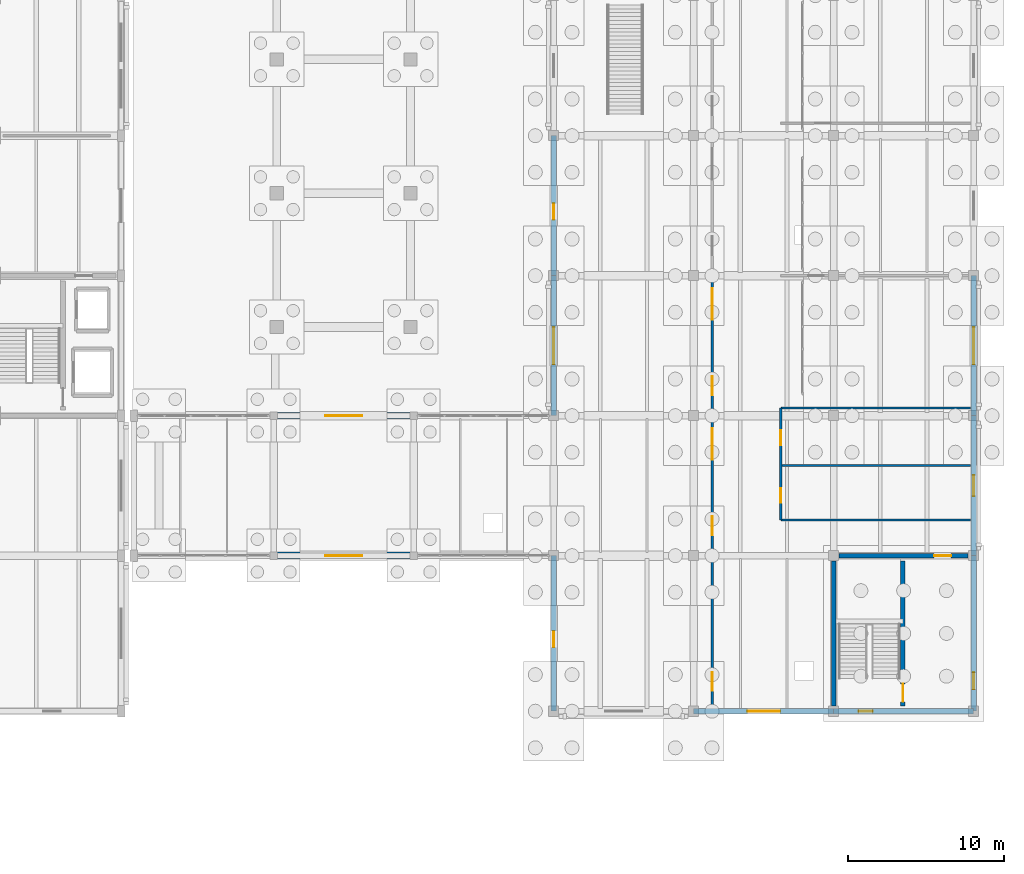
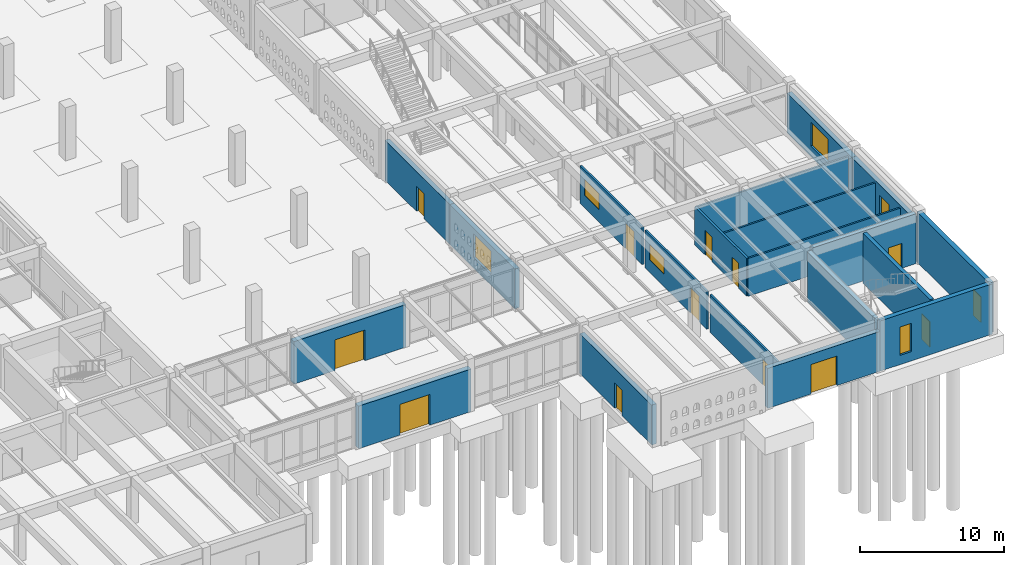
# One storey, part 168 of 186: 20 walls, 13 doors, 6 windows, 19 openings.
"""IFC4 building model written with IfcOpenShell, lengths in metres."""

from ifc_helpers import new_model, si_unit, direction, frame, frame_2d, origin, place, context, subcontext, project, spatial, rectangle, extrude, material, layer, layer_set, type_object, element, fill, save


model = new_model("IFC4")

# Units and contexts
model_context = context("Model", 3, precision=1e-05, world=origin(), true_north=direction((0.0, 1.0)))
body_context = subcontext(model_context, "Body", "Model", "MODEL_VIEW")
ifc_project = project(units=[si_unit("LENGTHUNIT", "METRE"), si_unit("AREAUNIT", "SQUARE_METRE"), si_unit("VOLUMEUNIT", "CUBIC_METRE"), si_unit("PLANEANGLEUNIT", "RADIAN"), si_unit("MASSUNIT", "GRAM", prefix="KILO")], contexts=[model_context])

# Site, building, storey
site_placement = place(None, origin())
site = spatial("IfcSite", under=ifc_project, at=site_placement, CompositionType="ELEMENT")
building_placement = place(site_placement, origin())
building = spatial("IfcBuilding", under=site, at=building_placement, Name="Ornek Quay Market", CompositionType="ELEMENT")
storey_placement = place(building_placement, origin())
storey = spatial("IfcBuildingStorey", under=building, at=storey_placement, Name="L00", CompositionType="ELEMENT", Elevation=0.0)

# Wall, opening, door
ifc_material_1 = material(Name="Concrete C40/50", Category="concrete")
ifc_layer_1 = layer(ifc_material_1, 0.300048828125, Name="Concrete C40/50", Category="concrete")
ifc_layer_set_1 = layer_set([ifc_layer_1], Name="Concrete C40/50")
wall_type_1 = type_object("IfcWallType", Name="WL-CORE-300", PredefinedType="SHEAR", material=ifc_layer_set_1)
wall_1_placement = place(storey_placement, frame((175.449951171875, 10.35009765625, 0.0), z_axis=(0.0, 0.0, 1.0), x_axis=(0.0, 1.0, 0.0)))
wall_1 = element("IfcWall", 1, at=wall_1_placement, inside=storey, type_object=wall_type_1, Name="Interior wall W-CORE1-157", PredefinedType="SHEAR", context=body_context, shape_type="SweptSolid", body=[
    extrude(rectangle(XDim=9.2998046875, YDim=0.300048828125, at=frame_2d((4.64990234375, 0.0))), origin(), (0.0, 0.0, 1.0), 4.219970703125),
])
opening_1_placement = place(wall_1_placement, frame((0.25, 0.0, 0.0)))
opening_1 = element("IfcOpeningElement", 2, at=opening_1_placement, cuts=wall_1, Name="Opening FD-03-060", PredefinedType="OPENING", context=body_context, shape_type="SweptSolid", body=[
    extrude(rectangle(XDim=1.14990234375, YDim=2.14990234375, at=frame_2d((0.574951171875, 1.074951171875))), frame((0.0, 0.159912109375, 0.0), z_axis=(0.0, -1.0, 0.0), x_axis=(1.0, 0.0, 0.0)), (0.0, 0.0, 1.0), 0.320068359375),
])
ifc_material_2 = material(Name="Insulated fire-rated painted steel", Category="steel")
door_type_1 = type_object("IfcDoorType", Name="DR-FIRE-STAIR-1150x2150", OperationType="NOTDEFINED", PredefinedType="DOOR", material=ifc_material_2)
door_1_placement = place(opening_1_placement, origin())
door_1 = element("IfcDoor", 3, at=door_1_placement, inside=storey, type_object=door_type_1, Name="Interior door FD-03-060", OperationType="SINGLE_SWING_LEFT", OverallHeight=2.14990234375, OverallWidth=1.14990234375, PredefinedType="DOOR", context=body_context, shape_type="SweptSolid", body=[
    extrude(rectangle(XDim=1.14990234375, YDim=2.14990234375, at=frame_2d((0.574951171875, 1.074951171875))), frame((0.0, 0.02490234375, 0.0), z_axis=(0.0, -1.0, 0.0), x_axis=(1.0, 0.0, 0.0)), (0.0, 0.0, 1.0), 0.050048828125),
])
fill(opening_1, door_1)

# Wall
wall_2_placement = place(storey_placement, frame((171.0, 10.35009765625, 0.0), z_axis=(0.0, 0.0, 1.0), x_axis=(0.0, 1.0, 0.0)))
element("IfcWall", 4, at=wall_2_placement, inside=storey, type_object=wall_type_1, Name="Interior wall W-CORE1-158", PredefinedType="SHEAR", context=body_context, shape_type="SweptSolid", body=[
    extrude(rectangle(XDim=9.2998046875, YDim=0.300048828125, at=frame_2d((4.64990234375, 0.0))), origin(), (0.0, 0.0, 1.0), 4.219970703125),
])

# Wall, opening, door
wall_3_placement = place(storey_placement, frame((171.35009765625, 20.0, 0.0), z_axis=(0.0, 0.0, 1.0), x_axis=(1.0, 0.0, 0.0)))
wall_3 = element("IfcWall", 5, at=wall_3_placement, inside=storey, type_object=wall_type_1, Name="Interior wall W-CORE1-159", PredefinedType="SHEAR", context=body_context, shape_type="SweptSolid", body=[
    extrude(rectangle(XDim=8.2998046875, YDim=0.300048828125, at=frame_2d((4.14990234375, 0.0))), origin(), (0.0, 0.0, 1.0), 4.219970703125),
])
opening_2_placement = place(wall_3_placement, frame((6.10009765625, 0.0, 0.0)))
opening_2 = element("IfcOpeningElement", 6, at=opening_2_placement, cuts=wall_3, Name="Opening FD-04-061", PredefinedType="OPENING", context=body_context, shape_type="SweptSolid", body=[
    extrude(rectangle(XDim=1.10009765625, YDim=2.10009765625, at=frame_2d((0.550048828125, 1.050048828125))), frame((0.0, 0.159912109375, 0.0), z_axis=(0.0, -1.0, 0.0), x_axis=(1.0, 0.0, 0.0)), (0.0, 0.0, 1.0), 0.320068359375),
])
door_type_2 = type_object("IfcDoorType", Name="DR-FIRE-LOBBY-1100x2100", OperationType="NOTDEFINED", PredefinedType="DOOR", material=ifc_material_2)
door_2_placement = place(opening_2_placement, origin())
door_2 = element("IfcDoor", 7, at=door_2_placement, inside=storey, type_object=door_type_2, Name="Interior door FD-04-061", OperationType="SINGLE_SWING_RIGHT", OverallHeight=2.10009765625, OverallWidth=1.10009765625, PredefinedType="DOOR", context=body_context, shape_type="SweptSolid", body=[
    extrude(rectangle(XDim=1.10009765625, YDim=2.10009765625, at=frame_2d((0.550048828125, 1.050048828125))), frame((0.0, 0.02490234375, 0.0), z_axis=(0.0, -1.0, 0.0), x_axis=(1.0, 0.0, 0.0)), (0.0, 0.0, 1.0), 0.050048828125),
])
fill(opening_2, door_2)

# Wall, openings, doors
ifc_material_3 = material(Name="Autoclaved aerated concrete masonry", Category="masonry")
ifc_layer_2 = layer(ifc_material_3, 0.179931640625, Name="Autoclaved aerated concrete masonry", Category="masonry")
ifc_layer_set_2 = layer_set([ifc_layer_2], Name="Autoclaved aerated concrete masonry")
wall_type_2 = type_object("IfcWallType", Name="WL-CORR-180", PredefinedType="STANDARD", material=ifc_layer_set_2)
wall_4_placement = place(storey_placement, frame((167.60009765625, 22.300048828125, 0.0), z_axis=(0.0, 0.0, 1.0), x_axis=(0.0, 1.0, 0.0)))
wall_4 = element("IfcWall", 8, at=wall_4_placement, inside=storey, type_object=wall_type_2, Name="Interior wall W-INT1-394", PredefinedType="STANDARD", context=body_context, shape_type="SweptSolid", body=[
    extrude(rectangle(XDim=7.199951171875, YDim=0.179931640625, at=frame_2d((3.60009765625, 0.0))), origin(), (0.0, 0.0, 1.0), 3.199951171875),
])
opening_3_placement = place(wall_4_placement, frame((1.10009765625, 0.0, 0.0)))
opening_3 = element("IfcOpeningElement", 9, at=opening_3_placement, cuts=wall_4, Name="Opening ID-04-188", PredefinedType="OPENING", context=body_context, shape_type="SweptSolid", body=[
    extrude(rectangle(XDim=0.949951171875, YDim=2.10009765625, at=frame_2d((0.47509765625, 1.050048828125))), frame((0.0, 0.099853515625, 0.0), z_axis=(0.0, -1.0, 0.0), x_axis=(1.0, 0.0, 0.0)), (0.0, 0.0, 1.0), 0.199951171875),
])
opening_4_placement = place(wall_4_placement, frame((4.800048828125, 0.0, 0.0)))
opening_4 = element("IfcOpeningElement", 10, at=opening_4_placement, cuts=wall_4, Name="Opening ID-04-189", PredefinedType="OPENING", context=body_context, shape_type="SweptSolid", body=[
    extrude(rectangle(XDim=0.949951171875, YDim=2.10009765625, at=frame_2d((0.47509765625, 1.050048828125))), frame((0.0, 0.099853515625, 0.0), z_axis=(0.0, -1.0, 0.0), x_axis=(1.0, 0.0, 0.0)), (0.0, 0.0, 1.0), 0.199951171875),
])
ifc_material_4 = material(Name="Moisture-resistant laminate door", Category="other")
door_type_3 = type_object("IfcDoorType", Name="DR-INT-WC-950x2100", OperationType="NOTDEFINED", PredefinedType="DOOR", material=ifc_material_4)
door_3_placement = place(opening_3_placement, origin())
door_3 = element("IfcDoor", 11, at=door_3_placement, inside=storey, type_object=door_type_3, Name="Interior door ID-04-188", OperationType="SINGLE_SWING_LEFT", OverallHeight=2.10009765625, OverallWidth=0.949951171875, PredefinedType="DOOR", context=body_context, shape_type="SweptSolid", body=[
    extrude(rectangle(XDim=0.949951171875, YDim=2.10009765625, at=frame_2d((0.47509765625, 1.050048828125))), frame((0.0, 0.02490234375, 0.0), z_axis=(0.0, -1.0, 0.0), x_axis=(1.0, 0.0, 0.0)), (0.0, 0.0, 1.0), 0.050048828125),
])
fill(opening_3, door_3)
door_4_placement = place(opening_4_placement, origin())
door_4 = element("IfcDoor", 12, at=door_4_placement, inside=storey, type_object=door_type_3, Name="Interior door ID-04-189", OperationType="SINGLE_SWING_RIGHT", OverallHeight=2.10009765625, OverallWidth=0.949951171875, PredefinedType="DOOR", context=body_context, shape_type="SweptSolid", body=[
    extrude(rectangle(XDim=0.949951171875, YDim=2.10009765625, at=frame_2d((0.47509765625, 1.050048828125))), frame((0.0, 0.02490234375, 0.0), z_axis=(0.0, -1.0, 0.0), x_axis=(1.0, 0.0, 0.0)), (0.0, 0.0, 1.0), 0.050048828125),
])
fill(opening_4, door_4)

# Wall, opening, door
ifc_material_5 = material(Name="Frost-resistant facing clay brick M200 F100", Category="masonry")
ifc_layer_3 = layer(ifc_material_5, 0.3701171875, Name="Frost-resistant facing clay brick M200 F100", Category="masonry")
ifc_layer_set_3 = layer_set([ifc_layer_3], Name="Frost-resistant facing clay brick M200 F100")
wall_type_3 = type_object("IfcWallType", Name="WL-EXT-CS-370", PredefinedType="STANDARD", material=ifc_layer_set_3)
wall_5_placement = place(storey_placement, frame((153.0, 10.0, 0.0), z_axis=(0.0, 0.0, 1.0), x_axis=(0.0, 1.0, 0.0)))
wall_5 = element("IfcWall", 13, at=wall_5_placement, inside=storey, type_object=wall_type_3, Name="Exterior wall EW-186", PredefinedType="STANDARD", context=body_context, shape_type="SweptSolid", body=[
    extrude(rectangle(XDim=10.0, YDim=0.3701171875, at=frame_2d((5.0, 0.0))), origin(), (0.0, 0.0, 1.0), 3.3798828125),
])
opening_5_placement = place(wall_5_placement, frame((4.10009765625, 0.0, 0.0)))
opening_5 = element("IfcOpeningElement", 14, at=opening_5_placement, cuts=wall_5, Name="Opening ED-06-044", PredefinedType="OPENING", context=body_context, shape_type="SweptSolid", body=[
    extrude(rectangle(XDim=1.050048828125, YDim=2.14990234375, at=frame_2d((0.52490234375, 1.074951171875))), frame((0.0, 0.195068359375, 0.0), z_axis=(0.0, -1.0, 0.0), x_axis=(1.0, 0.0, 0.0)), (0.0, 0.0, 1.0), 0.39013671875),
])
ifc_material_6 = material(Name="Anodised bronze aluminium and triple glass", Category="aluminium")
door_type_4 = type_object("IfcDoorType", Name="DR-EXT-SGL-1050x2150", OperationType="NOTDEFINED", PredefinedType="DOOR", material=ifc_material_6)
door_5_placement = place(opening_5_placement, origin())
door_5 = element("IfcDoor", 15, at=door_5_placement, inside=storey, type_object=door_type_4, Name="Exterior door ED-06-044", OperationType="SINGLE_SWING_LEFT", OverallHeight=2.14990234375, OverallWidth=1.050048828125, PredefinedType="DOOR", context=body_context, shape_type="SweptSolid", body=[
    extrude(rectangle(XDim=1.050048828125, YDim=2.14990234375, at=frame_2d((0.52490234375, 1.074951171875))), frame((0.0, 0.02490234375, 0.0), z_axis=(0.0, -1.0, 0.0), x_axis=(1.0, 0.0, 0.0)), (0.0, 0.0, 1.0), 0.050048828125),
])
fill(opening_5, door_5)

# Wall, opening, window
wall_6_placement = place(storey_placement, frame((153.0, 29.0, 0.0), z_axis=(0.0, 0.0, 1.0), x_axis=(0.0, 1.0, 0.0)))
wall_6 = element("IfcWall", 16, at=wall_6_placement, inside=storey, type_object=wall_type_3, Name="Exterior wall EW-187", PredefinedType="STANDARD", context=body_context, shape_type="SweptSolid", body=[
    extrude(rectangle(XDim=9.0, YDim=0.3701171875, at=frame_2d((4.5, 0.0))), origin(), (0.0, 0.0, 1.0), 3.3798828125),
])
opening_6_placement = place(wall_6_placement, frame((3.300048828125, 0.0, 0.89990234375)))
opening_6 = element("IfcOpeningElement", 17, at=opening_6_placement, cuts=wall_6, Name="Opening W-08-154", PredefinedType="OPENING", context=body_context, shape_type="SweptSolid", body=[
    extrude(rectangle(XDim=2.39990234375, YDim=2.0, at=frame_2d((1.199951171875, 1.0))), frame((0.0, 0.195068359375, 0.0), z_axis=(0.0, -1.0, 0.0), x_axis=(1.0, 0.0, 0.0)), (0.0, 0.0, 1.0), 0.39013671875),
])
ifc_material_7 = material(Name="Thermally broken bronze aluminium and triple low-e glass", Category="aluminium")
window_type_1 = type_object("IfcWindowType", Name="WN-CS-2400x2000", PartitioningType="DOUBLE_PANEL_VERTICAL", PredefinedType="WINDOW", material=ifc_material_7)
window_1_placement = place(opening_6_placement, origin())
window_1 = element("IfcWindow", 18, at=window_1_placement, inside=storey, type_object=window_type_1, Name="Window W-08-154", OverallHeight=2.0, OverallWidth=2.39990234375, PartitioningType="SINGLE_PANEL", PredefinedType="WINDOW", context=body_context, shape_type="SweptSolid", body=[
    extrude(rectangle(XDim=2.39990234375, YDim=2.0, at=frame_2d((1.199951171875, 1.0))), frame((0.0, 0.030029296875, 0.0), z_axis=(0.0, -1.0, 0.0), x_axis=(1.0, 0.0, 0.0)), (0.0, 0.0, 1.0), 0.06005859375),
])
fill(opening_6, window_1)

# Wall, opening, door
wall_7_placement = place(storey_placement, frame((153.0, 38.0, 0.0), z_axis=(0.0, 0.0, 1.0), x_axis=(0.0, 1.0, 0.0)))
wall_7 = element("IfcWall", 19, at=wall_7_placement, inside=storey, type_object=wall_type_3, Name="Exterior wall EW-188", PredefinedType="STANDARD", context=body_context, shape_type="SweptSolid", body=[
    extrude(rectangle(XDim=9.0, YDim=0.3701171875, at=frame_2d((4.5, 0.0))), origin(), (0.0, 0.0, 1.0), 3.3798828125),
])
opening_7_placement = place(wall_7_placement, frame((3.60009765625, 0.0, 0.0)))
opening_7 = element("IfcOpeningElement", 20, at=opening_7_placement, cuts=wall_7, Name="Opening ED-06-045", PredefinedType="OPENING", context=body_context, shape_type="SweptSolid", body=[
    extrude(rectangle(XDim=1.050048828125, YDim=2.14990234375, at=frame_2d((0.52490234375, 1.074951171875))), frame((0.0, 0.195068359375, 0.0), z_axis=(0.0, -1.0, 0.0), x_axis=(1.0, 0.0, 0.0)), (0.0, 0.0, 1.0), 0.39013671875),
])
door_6_placement = place(opening_7_placement, origin())
door_6 = element("IfcDoor", 21, at=door_6_placement, inside=storey, type_object=door_type_4, Name="Exterior door ED-06-045", OperationType="SINGLE_SWING_RIGHT", OverallHeight=2.14990234375, OverallWidth=1.050048828125, PredefinedType="DOOR", context=body_context, shape_type="SweptSolid", body=[
    extrude(rectangle(XDim=1.050048828125, YDim=2.14990234375, at=frame_2d((0.52490234375, 1.074951171875))), frame((0.0, 0.02490234375, 0.0), z_axis=(0.0, -1.0, 0.0), x_axis=(1.0, 0.0, 0.0)), (0.0, 0.0, 1.0), 0.050048828125),
])
fill(opening_7, door_6)

wall_8_placement = place(storey_placement, frame((180.0, 20.0, 0.0), z_axis=(0.0, 0.0, 1.0), x_axis=(0.0, -1.0, 0.0)))
wall_8 = element("IfcWall", 22, at=wall_8_placement, inside=storey, type_object=wall_type_3, Name="Exterior wall EW-191", PredefinedType="STANDARD", context=body_context, shape_type="SweptSolid", body=[
    extrude(rectangle(XDim=10.0, YDim=0.3701171875, at=frame_2d((5.0, 0.0))), origin(), (0.0, 0.0, 1.0), 4.25),
])
opening_8_placement = place(wall_8_placement, frame((7.5, 0.0, 0.0)))
opening_8 = element("IfcOpeningElement", 23, at=opening_8_placement, cuts=wall_8, Name="Opening ED-05-046", PredefinedType="OPENING", context=body_context, shape_type="SweptSolid", body=[
    extrude(rectangle(XDim=1.10009765625, YDim=2.199951171875, at=frame_2d((0.550048828125, 1.10009765625))), frame((0.0, 0.195068359375, 0.0), z_axis=(0.0, -1.0, 0.0), x_axis=(1.0, 0.0, 0.0)), (0.0, 0.0, 1.0), 0.39013671875),
])
ifc_material_8 = material(Name="Insulated painted steel", Category="steel")
door_type_5 = type_object("IfcDoorType", Name="DR-EXT-SGL-1100x2200", OperationType="NOTDEFINED", PredefinedType="DOOR", material=ifc_material_8)
door_7_placement = place(opening_8_placement, origin())
door_7 = element("IfcDoor", 24, at=door_7_placement, inside=storey, type_object=door_type_5, Name="Exterior door ED-05-046", OperationType="SINGLE_SWING_LEFT", OverallHeight=2.199951171875, OverallWidth=1.10009765625, PredefinedType="DOOR", context=body_context, shape_type="SweptSolid", body=[
    extrude(rectangle(XDim=1.10009765625, YDim=2.199951171875, at=frame_2d((0.550048828125, 1.10009765625))), frame((0.0, 0.02490234375, 0.0), z_axis=(0.0, -1.0, 0.0), x_axis=(1.0, 0.0, 0.0)), (0.0, 0.0, 1.0), 0.050048828125),
])
fill(opening_8, door_7)

# Wall, opening, window
wall_9_placement = place(storey_placement, frame((180.0, 20.0, 0.0), z_axis=(0.0, 0.0, 1.0), x_axis=(0.0, 1.0, 0.0)))
wall_9 = element("IfcWall", 25, at=wall_9_placement, inside=storey, type_object=wall_type_3, Name="Exterior wall EW-192", PredefinedType="STANDARD", context=body_context, shape_type="SweptSolid", body=[
    extrude(rectangle(XDim=9.0, YDim=0.3701171875, at=frame_2d((4.5, 0.0))), origin(), (0.0, 0.0, 1.0), 3.3798828125),
])
opening_9_placement = place(wall_9_placement, frame((3.824951171875, 0.0, 0.89990234375)))
opening_9 = element("IfcOpeningElement", 26, at=opening_9_placement, cuts=wall_9, Name="Opening W-16-157", PredefinedType="OPENING", context=body_context, shape_type="SweptSolid", body=[
    extrude(rectangle(XDim=1.35009765625, YDim=1.60009765625, at=frame_2d((0.675048828125, 0.800048828125))), frame((0.0, 0.195068359375, 0.0), z_axis=(0.0, -1.0, 0.0), x_axis=(1.0, 0.0, 0.0)), (0.0, 0.0, 1.0), 0.39013671875),
])
window_type_2 = type_object("IfcWindowType", Name="WN-OFF-1350x1600", PartitioningType="SINGLE_PANEL", PredefinedType="WINDOW", material=ifc_material_7)
window_2_placement = place(opening_9_placement, origin())
window_2 = element("IfcWindow", 27, at=window_2_placement, inside=storey, type_object=window_type_2, Name="Window W-16-157", OverallHeight=1.60009765625, OverallWidth=1.35009765625, PartitioningType="SINGLE_PANEL", PredefinedType="WINDOW", context=body_context, shape_type="SweptSolid", body=[
    extrude(rectangle(XDim=1.35009765625, YDim=1.60009765625, at=frame_2d((0.675048828125, 0.800048828125))), frame((0.0, 0.030029296875, 0.0), z_axis=(0.0, -1.0, 0.0), x_axis=(1.0, 0.0, 0.0)), (0.0, 0.0, 1.0), 0.06005859375),
])
fill(opening_9, window_2)

wall_10_placement = place(storey_placement, frame((180.0, 29.0, 0.0), z_axis=(0.0, 0.0, 1.0), x_axis=(0.0, 1.0, 0.0)))
wall_10 = element("IfcWall", 28, at=wall_10_placement, inside=storey, type_object=wall_type_3, Name="Exterior wall EW-193", PredefinedType="STANDARD", context=body_context, shape_type="SweptSolid", body=[
    extrude(rectangle(XDim=9.0, YDim=0.3701171875, at=frame_2d((4.5, 0.0))), origin(), (0.0, 0.0, 1.0), 3.3798828125),
])
opening_10_placement = place(wall_10_placement, frame((3.300048828125, 0.0, 0.89990234375)))
opening_10 = element("IfcOpeningElement", 29, at=opening_10_placement, cuts=wall_10, Name="Opening W-08-158", PredefinedType="OPENING", context=body_context, shape_type="SweptSolid", body=[
    extrude(rectangle(XDim=2.39990234375, YDim=2.0, at=frame_2d((1.199951171875, 1.0))), frame((0.0, 0.195068359375, 0.0), z_axis=(0.0, -1.0, 0.0), x_axis=(1.0, 0.0, 0.0)), (0.0, 0.0, 1.0), 0.39013671875),
])
window_3_placement = place(opening_10_placement, origin())
window_3 = element("IfcWindow", 30, at=window_3_placement, inside=storey, type_object=window_type_1, Name="Window W-08-158", OverallHeight=2.0, OverallWidth=2.39990234375, PartitioningType="SINGLE_PANEL", PredefinedType="WINDOW", context=body_context, shape_type="SweptSolid", body=[
    extrude(rectangle(XDim=2.39990234375, YDim=2.0, at=frame_2d((1.199951171875, 1.0))), frame((0.0, 0.030029296875, 0.0), z_axis=(0.0, -1.0, 0.0), x_axis=(1.0, 0.0, 0.0)), (0.0, 0.0, 1.0), 0.06005859375),
])
fill(opening_10, window_3)

# Wall, opening, door
wall_11_placement = place(storey_placement, frame((162.0, 10.0, 0.0), z_axis=(0.0, 0.0, 1.0), x_axis=(1.0, 0.0, 0.0)))
wall_11 = element("IfcWall", 31, at=wall_11_placement, inside=storey, type_object=wall_type_3, Name="Exterior wall EW-198", PredefinedType="STANDARD", context=body_context, shape_type="SweptSolid", body=[
    extrude(rectangle(XDim=9.0, YDim=0.3701171875, at=frame_2d((4.5, 0.0))), origin(), (0.0, 0.0, 1.0), 3.3798828125),
])
opening_11_placement = place(wall_11_placement, frame((3.449951171875, 0.0, 0.0)))
opening_11 = element("IfcOpeningElement", 32, at=opening_11_placement, cuts=wall_11, Name="Opening ED-02-048", PredefinedType="OPENING", context=body_context, shape_type="SweptSolid", body=[
    extrude(rectangle(XDim=2.10009765625, YDim=2.5, at=frame_2d((1.050048828125, 1.25))), frame((0.0, 0.195068359375, 0.0), z_axis=(0.0, -1.0, 0.0), x_axis=(1.0, 0.0, 0.0)), (0.0, 0.0, 1.0), 0.39013671875),
])
door_type_6 = type_object("IfcDoorType", Name="DR-EXT-DBL-2100x2500", OperationType="DOUBLE_DOOR_SINGLE_SWING", PredefinedType="DOOR", material=ifc_material_6)
door_8_placement = place(opening_11_placement, origin())
door_8 = element("IfcDoor", 33, at=door_8_placement, inside=storey, type_object=door_type_6, Name="Exterior door ED-02-048", OperationType="DOUBLE_DOOR_SINGLE_SWING", OverallHeight=2.5, OverallWidth=2.10009765625, PredefinedType="DOOR", context=body_context, shape_type="SweptSolid", body=[
    extrude(rectangle(XDim=2.10009765625, YDim=2.5, at=frame_2d((1.050048828125, 1.25))), frame((0.0, 0.02490234375, 0.0), z_axis=(0.0, -1.0, 0.0), x_axis=(1.0, 0.0, 0.0)), (0.0, 0.0, 1.0), 0.050048828125),
])
fill(opening_11, door_8)

# Wall, opening, window
wall_12_placement = place(storey_placement, frame((171.0, 10.0, 0.0), z_axis=(0.0, 0.0, 1.0), x_axis=(1.0, 0.0, 0.0)))
wall_12 = element("IfcWall", 34, at=wall_12_placement, inside=storey, type_object=wall_type_3, Name="Exterior wall EW-199", PredefinedType="STANDARD", context=body_context, shape_type="SweptSolid", body=[
    extrude(rectangle(XDim=9.0, YDim=0.3701171875, at=frame_2d((4.5, 0.0))), origin(), (0.0, 0.0, 1.0), 4.25),
])
opening_12_placement = place(wall_12_placement, frame((1.60009765625, 0.0, 0.7900390625)))
opening_12 = element("IfcOpeningElement", 35, at=opening_12_placement, cuts=wall_12, Name="Opening W-17-162", PredefinedType="OPENING", context=body_context, shape_type="SweptSolid", body=[
    extrude(rectangle(XDim=0.89990234375, YDim=2.39990234375, at=frame_2d((0.449951171875, 1.199951171875))), frame((0.0, 0.195068359375, 0.0), z_axis=(0.0, -1.0, 0.0), x_axis=(1.0, 0.0, 0.0)), (0.0, 0.0, 1.0), 0.39013671875),
])
window_type_3 = type_object("IfcWindowType", Name="WN-CORE-900x2400", PartitioningType="SINGLE_PANEL", PredefinedType="WINDOW", material=ifc_material_7)
window_4_placement = place(opening_12_placement, origin())
window_4 = element("IfcWindow", 36, at=window_4_placement, inside=storey, type_object=window_type_3, Name="Window W-17-162", OverallHeight=2.39990234375, OverallWidth=0.89990234375, PartitioningType="SINGLE_PANEL", PredefinedType="WINDOW", context=body_context, shape_type="SweptSolid", body=[
    extrude(rectangle(XDim=0.89990234375, YDim=2.39990234375, at=frame_2d((0.449951171875, 1.199951171875))), frame((0.0, 0.030029296875, 0.0), z_axis=(0.0, -1.0, 0.0), x_axis=(1.0, 0.0, 0.0)), (0.0, 0.0, 1.0), 0.06005859375),
])
fill(opening_12, window_4)

# Wall, opening, door
ifc_material_9 = material(Name="Granite-faced insulated concrete C35/45", Category="masonry")
ifc_layer_4 = layer(ifc_material_9, 0.43994140625, Name="Granite-faced insulated concrete C35/45", Category="masonry")
ifc_layer_set_4 = layer_set([ifc_layer_4], Name="Granite-faced insulated concrete C35/45")
wall_type_4 = type_object("IfcWallType", Name="WL-EXT-PLINTH-440", PredefinedType="STANDARD", material=ifc_layer_set_4)
wall_13_placement = place(storey_placement, frame((135.0, 29.0, 0.0), z_axis=(0.0, 0.0, 1.0), x_axis=(1.0, 0.0, 0.0)))
wall_13 = element("IfcWall", 37, at=wall_13_placement, inside=storey, type_object=wall_type_4, Name="Exterior wall EW-092", PredefinedType="STANDARD", context=body_context, shape_type="SweptSolid", body=[
    extrude(rectangle(XDim=9.0, YDim=0.43994140625, at=frame_2d((4.5, 0.0))), origin(), (0.0, 0.0, 1.0), 3.60009765625),
])
opening_13_placement = place(wall_13_placement, frame((3.300048828125, 0.0, 0.0)))
opening_13 = element("IfcOpeningElement", 38, at=opening_13_placement, cuts=wall_13, Name="Opening ED-01-017", PredefinedType="OPENING", context=body_context, shape_type="SweptSolid", body=[
    extrude(rectangle(XDim=2.39990234375, YDim=2.60009765625, at=frame_2d((1.199951171875, 1.300048828125))), frame((0.0, 0.22998046875, 0.0), z_axis=(0.0, -1.0, 0.0), x_axis=(1.0, 0.0, 0.0)), (0.0, 0.0, 1.0), 0.4599609375),
])
door_type_7 = type_object("IfcDoorType", Name="DR-EXT-DBL-2400x2600", OperationType="DOUBLE_DOOR_SINGLE_SWING", PredefinedType="DOOR", material=ifc_material_6)
door_9_placement = place(opening_13_placement, origin())
door_9 = element("IfcDoor", 39, at=door_9_placement, inside=storey, type_object=door_type_7, Name="Exterior door ED-01-017", OperationType="DOUBLE_DOOR_SINGLE_SWING", OverallHeight=2.60009765625, OverallWidth=2.39990234375, PredefinedType="DOOR", context=body_context, shape_type="SweptSolid", body=[
    extrude(rectangle(XDim=2.39990234375, YDim=2.60009765625, at=frame_2d((1.199951171875, 1.300048828125))), frame((0.0, 0.02490234375, 0.0), z_axis=(0.0, -1.0, 0.0), x_axis=(1.0, 0.0, 0.0)), (0.0, 0.0, 1.0), 0.050048828125),
])
fill(opening_13, door_9)

wall_14_placement = place(storey_placement, frame((135.0, 20.0, 0.0), z_axis=(0.0, 0.0, 1.0), x_axis=(1.0, 0.0, 0.0)))
wall_14 = element("IfcWall", 40, at=wall_14_placement, inside=storey, type_object=wall_type_4, Name="Exterior wall EW-093", PredefinedType="STANDARD", context=body_context, shape_type="SweptSolid", body=[
    extrude(rectangle(XDim=9.0, YDim=0.43994140625, at=frame_2d((4.5, 0.0))), origin(), (0.0, 0.0, 1.0), 3.60009765625),
])
opening_14_placement = place(wall_14_placement, frame((3.300048828125, 0.0, 0.0)))
opening_14 = element("IfcOpeningElement", 41, at=opening_14_placement, cuts=wall_14, Name="Opening ED-01-018", PredefinedType="OPENING", context=body_context, shape_type="SweptSolid", body=[
    extrude(rectangle(XDim=2.39990234375, YDim=2.60009765625, at=frame_2d((1.199951171875, 1.300048828125))), frame((0.0, 0.22998046875, 0.0), z_axis=(0.0, -1.0, 0.0), x_axis=(1.0, 0.0, 0.0)), (0.0, 0.0, 1.0), 0.4599609375),
])
door_10_placement = place(opening_14_placement, origin())
door_10 = element("IfcDoor", 42, at=door_10_placement, inside=storey, type_object=door_type_7, Name="Exterior door ED-01-018", OperationType="DOUBLE_DOOR_SINGLE_SWING", OverallHeight=2.60009765625, OverallWidth=2.39990234375, PredefinedType="DOOR", context=body_context, shape_type="SweptSolid", body=[
    extrude(rectangle(XDim=2.39990234375, YDim=2.60009765625, at=frame_2d((1.199951171875, 1.300048828125))), frame((0.0, 0.02490234375, 0.0), z_axis=(0.0, -1.0, 0.0), x_axis=(1.0, 0.0, 0.0)), (0.0, 0.0, 1.0), 0.050048828125),
])
fill(opening_14, door_10)

ifc_material_10 = material(Name="Acoustic twin-stud gypsum partition", Category="other")
ifc_layer_5 = layer(ifc_material_10, 0.14990234375, Name="Acoustic twin-stud gypsum partition", Category="other")
ifc_layer_set_5 = layer_set([ifc_layer_5], Name="Acoustic twin-stud gypsum partition")
wall_type_5 = type_object("IfcWallType", Name="WL-STUDIO-150", PredefinedType="PARTITIONING", material=ifc_layer_set_5)
wall_15_placement = place(storey_placement, frame((163.199951171875, 10.219970703125, 0.0), z_axis=(0.0, 0.0, 1.0), x_axis=(0.0, 1.0, 0.0)))
wall_15 = element("IfcWall", 43, at=wall_15_placement, inside=storey, type_object=wall_type_5, Name="Interior wall W-INT3-300", PredefinedType="PARTITIONING", context=body_context, shape_type="SweptSolid", body=[
    extrude(rectangle(XDim=9.56005859375, YDim=0.14990234375, at=frame_2d((4.780029296875, 0.0))), origin(), (0.0, 0.0, 1.0), 3.199951171875),
])
opening_15_placement = place(wall_15_placement, frame((1.10009765625, 0.0, 0.0)))
opening_15 = element("IfcOpeningElement", 44, at=opening_15_placement, cuts=wall_15, Name="Opening ID-02-135", PredefinedType="OPENING", context=body_context, shape_type="SweptSolid", body=[
    extrude(rectangle(XDim=1.199951171875, YDim=2.14990234375, at=frame_2d((0.60009765625, 1.074951171875))), frame((0.0, 0.0849609375, 0.0), z_axis=(0.0, -1.0, 0.0), x_axis=(1.0, 0.0, 0.0)), (0.0, 0.0, 1.0), 0.169921875),
])
ifc_material_11 = material(Name="Acoustic solid oak door", Category="other")
door_type_8 = type_object("IfcDoorType", Name="DR-INT-STUDIO-1200x2150", OperationType="NOTDEFINED", PredefinedType="DOOR", material=ifc_material_11)
door_11_placement = place(opening_15_placement, origin())
door_11 = element("IfcDoor", 45, at=door_11_placement, inside=storey, type_object=door_type_8, Name="Interior door ID-02-135", OperationType="SINGLE_SWING_RIGHT", OverallHeight=2.14990234375, OverallWidth=1.199951171875, PredefinedType="DOOR", context=body_context, shape_type="SweptSolid", body=[
    extrude(rectangle(XDim=1.199951171875, YDim=2.14990234375, at=frame_2d((0.60009765625, 1.074951171875))), frame((0.0, 0.02490234375, 0.0), z_axis=(0.0, -1.0, 0.0), x_axis=(1.0, 0.0, 0.0)), (0.0, 0.0, 1.0), 0.050048828125),
])
fill(opening_15, door_11)

# Wall, openings, door, window
wall_16_placement = place(storey_placement, frame((163.199951171875, 20.219970703125, 0.0), z_axis=(0.0, 0.0, 1.0), x_axis=(0.0, 1.0, 0.0)))
wall_16 = element("IfcWall", 46, at=wall_16_placement, inside=storey, type_object=wall_type_5, Name="Interior wall W-INT3-301", PredefinedType="PARTITIONING", context=body_context, shape_type="SweptSolid", body=[
    extrude(rectangle(XDim=8.56005859375, YDim=0.14990234375, at=frame_2d((4.280029296875, 0.0))), origin(), (0.0, 0.0, 1.0), 3.199951171875),
])
opening_16_placement = place(wall_16_placement, frame((1.10009765625, 0.0, 0.0)))
opening_16 = element("IfcOpeningElement", 47, at=opening_16_placement, cuts=wall_16, Name="Opening ID-02-136", PredefinedType="OPENING", context=body_context, shape_type="SweptSolid", body=[
    extrude(rectangle(XDim=1.199951171875, YDim=2.14990234375, at=frame_2d((0.60009765625, 1.074951171875))), frame((0.0, 0.0849609375, 0.0), z_axis=(0.0, -1.0, 0.0), x_axis=(1.0, 0.0, 0.0)), (0.0, 0.0, 1.0), 0.169921875),
])
opening_17_placement = place(wall_16_placement, frame((5.9599609375, 0.0, 1.050048828125)))
opening_17 = element("IfcOpeningElement", 48, at=opening_17_placement, cuts=wall_16, Name="Opening W-19-L00-20", PredefinedType="OPENING", context=body_context, shape_type="SweptSolid", body=[
    extrude(rectangle(XDim=2.0, YDim=1.35009765625, at=frame_2d((1.0, 0.675048828125))), frame((0.0, 0.0849609375, 0.0), z_axis=(0.0, -1.0, 0.0), x_axis=(1.0, 0.0, 0.0)), (0.0, 0.0, 1.0), 0.169921875),
])
door_12_placement = place(opening_16_placement, origin())
door_12 = element("IfcDoor", 49, at=door_12_placement, inside=storey, type_object=door_type_8, Name="Interior door ID-02-136", OperationType="SINGLE_SWING_LEFT", OverallHeight=2.14990234375, OverallWidth=1.199951171875, PredefinedType="DOOR", context=body_context, shape_type="SweptSolid", body=[
    extrude(rectangle(XDim=1.199951171875, YDim=2.14990234375, at=frame_2d((0.60009765625, 1.074951171875))), frame((0.0, 0.02490234375, 0.0), z_axis=(0.0, -1.0, 0.0), x_axis=(1.0, 0.0, 0.0)), (0.0, 0.0, 1.0), 0.050048828125),
])
fill(opening_16, door_12)
window_type_4 = type_object("IfcWindowType", Name="WN-INT-2000x1500", PartitioningType="DOUBLE_PANEL_VERTICAL", PredefinedType="WINDOW", material=ifc_material_7)
window_5_placement = place(opening_17_placement, origin())
window_5 = element("IfcWindow", 50, at=window_5_placement, inside=storey, type_object=window_type_4, Name="Teaching kitchen observation window L00-20", OverallHeight=1.35009765625, OverallWidth=2.0, PartitioningType="SINGLE_PANEL", PredefinedType="WINDOW", context=body_context, shape_type="SweptSolid", body=[
    extrude(rectangle(XDim=2.0, YDim=1.35009765625, at=frame_2d((1.0, 0.675048828125))), frame((0.0, 0.030029296875, 0.0), z_axis=(0.0, -1.0, 0.0), x_axis=(1.0, 0.0, 0.0)), (0.0, 0.0, 1.0), 0.06005859375),
])
fill(opening_17, window_5)

wall_17_placement = place(storey_placement, frame((163.199951171875, 29.219970703125, 0.0), z_axis=(0.0, 0.0, 1.0), x_axis=(0.0, 1.0, 0.0)))
wall_17 = element("IfcWall", 51, at=wall_17_placement, inside=storey, type_object=wall_type_5, Name="Interior wall W-INT3-302", PredefinedType="PARTITIONING", context=body_context, shape_type="SweptSolid", body=[
    extrude(rectangle(XDim=8.56005859375, YDim=0.14990234375, at=frame_2d((4.280029296875, 0.0))), origin(), (0.0, 0.0, 1.0), 3.199951171875),
])
opening_18_placement = place(wall_17_placement, frame((1.10009765625, 0.0, 0.0)))
opening_18 = element("IfcOpeningElement", 52, at=opening_18_placement, cuts=wall_17, Name="Opening ID-02-137", PredefinedType="OPENING", context=body_context, shape_type="SweptSolid", body=[
    extrude(rectangle(XDim=1.199951171875, YDim=2.14990234375, at=frame_2d((0.60009765625, 1.074951171875))), frame((0.0, 0.0849609375, 0.0), z_axis=(0.0, -1.0, 0.0), x_axis=(1.0, 0.0, 0.0)), (0.0, 0.0, 1.0), 0.169921875),
])
opening_19_placement = place(wall_17_placement, frame((5.9599609375, 0.0, 1.050048828125)))
opening_19 = element("IfcOpeningElement", 53, at=opening_19_placement, cuts=wall_17, Name="Opening W-19-L00-29", PredefinedType="OPENING", context=body_context, shape_type="SweptSolid", body=[
    extrude(rectangle(XDim=2.0, YDim=1.35009765625, at=frame_2d((1.0, 0.675048828125))), frame((0.0, 0.0849609375, 0.0), z_axis=(0.0, -1.0, 0.0), x_axis=(1.0, 0.0, 0.0)), (0.0, 0.0, 1.0), 0.169921875),
])
door_13_placement = place(opening_18_placement, origin())
door_13 = element("IfcDoor", 54, at=door_13_placement, inside=storey, type_object=door_type_8, Name="Interior door ID-02-137", OperationType="SINGLE_SWING_RIGHT", OverallHeight=2.14990234375, OverallWidth=1.199951171875, PredefinedType="DOOR", context=body_context, shape_type="SweptSolid", body=[
    extrude(rectangle(XDim=1.199951171875, YDim=2.14990234375, at=frame_2d((0.60009765625, 1.074951171875))), frame((0.0, 0.02490234375, 0.0), z_axis=(0.0, -1.0, 0.0), x_axis=(1.0, 0.0, 0.0)), (0.0, 0.0, 1.0), 0.050048828125),
])
fill(opening_18, door_13)
window_6_placement = place(opening_19_placement, origin())
window_6 = element("IfcWindow", 55, at=window_6_placement, inside=storey, type_object=window_type_4, Name="Teaching kitchen observation window L00-29", OverallHeight=1.35009765625, OverallWidth=2.0, PartitioningType="SINGLE_PANEL", PredefinedType="WINDOW", context=body_context, shape_type="SweptSolid", body=[
    extrude(rectangle(XDim=2.0, YDim=1.35009765625, at=frame_2d((1.0, 0.675048828125))), frame((0.0, 0.030029296875, 0.0), z_axis=(0.0, -1.0, 0.0), x_axis=(1.0, 0.0, 0.0)), (0.0, 0.0, 1.0), 0.06005859375),
])
fill(opening_19, window_6)

# Walls
ifc_material_12 = material(Name="Moisture-resistant masonry partition", Category="masonry")
ifc_layer_6 = layer(ifc_material_12, 0.139892578125, Name="Moisture-resistant masonry partition", Category="masonry")
ifc_layer_set_6 = layer_set([ifc_layer_6], Name="Moisture-resistant masonry partition")
wall_type_6 = type_object("IfcWallType", Name="WL-WC-140", PredefinedType="PARTITIONING", material=ifc_layer_set_6)
for number, where, z_axis, x_axis, name in (
    (56, (167.60009765625, 22.300048828125, 0.0), (0.0, 0.0, 1.0), (1.0, 0.0, 0.0), "Interior wall W-INT4-306"),
    (57, (167.60009765625, 25.800048828125, 0.0), (0.0, 0.0, 1.0), (1.0, 0.0, 0.0), "Interior wall W-INT4-307"),
    (58, (167.60009765625, 29.5, 0.0), (0.0, 0.0, 1.0), (1.0, 0.0, 0.0), "Interior wall W-INT4-308"),
):
    element("IfcWall", number, at=place(storey_placement, frame(where, z_axis=z_axis, x_axis=x_axis)), inside=storey, type_object=wall_type_6, Name=name, PredefinedType="PARTITIONING", context=body_context, shape_type="SweptSolid", body=[
        extrude(rectangle(XDim=12.199951171875, YDim=0.139892578125, at=frame_2d((6.10009765625, 0.0))), origin(), (0.0, 0.0, 1.0), 3.199951171875),
    ])

save(model, "model.ifc")
